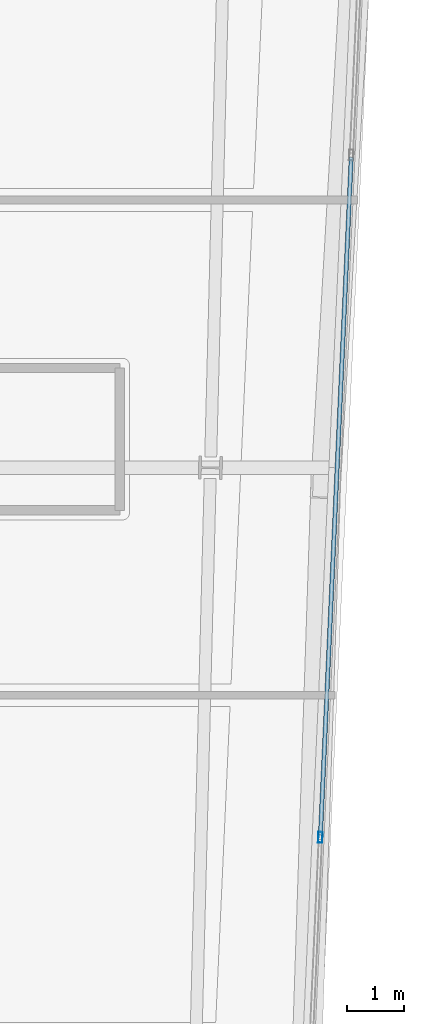
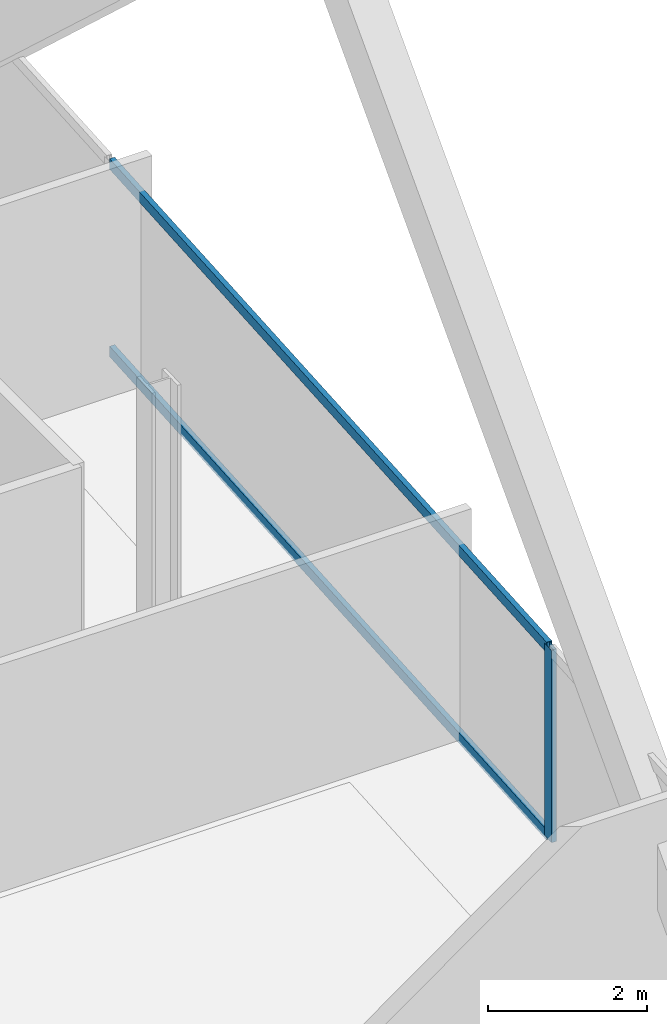
# One storey, part 11 of 26: 3 members, 1 element without a shape of its own.
"""IFC4 building model written with IfcOpenShell, lengths in metres."""

from ifc_helpers import new_model, si_unit, direction, frame, origin, origin_2d, place, context, subcontext, project, spatial, hollow_rectangle, extrude, material, material_profile, profile_set, type_object, element, aggregate, save


model = new_model("IFC4")

# Units and contexts
model_context = context("Model", 3, precision=1e-05, world=origin(), true_north=direction((0.0, 1.0)))
body_context = subcontext(model_context, "Body", "Model", "MODEL_VIEW")
ifc_project = project(units=[si_unit("LENGTHUNIT", "METRE"), si_unit("AREAUNIT", "SQUARE_METRE"), si_unit("VOLUMEUNIT", "CUBIC_METRE"), si_unit("PLANEANGLEUNIT", "RADIAN"), si_unit("MASSUNIT", "GRAM", prefix="KILO")], contexts=[model_context])

# Site, building, storey
site_placement = place(None, origin())
site = spatial("IfcSite", under=ifc_project, at=site_placement, CompositionType="ELEMENT")
building_placement = place(site_placement, origin())
building = spatial("IfcBuilding", under=site, at=building_placement, Name="Haldenkirk Collegiate Tower", CompositionType="ELEMENT")
storey_placement = place(building_placement, frame((0.0, 0.0, 321.449951171875)))
storey = spatial("IfcBuildingStorey", under=building, at=storey_placement, Name="L81", CompositionType="ELEMENT", Elevation=321.449951171875)

# Curtain wall, members
ifc_material = material(Name="Anodised architectural bronze aluminium", Category="aluminium")
curtain_wall_type = type_object("IfcCurtainWallType", Name="CW-SYS2-CONCAVE", PredefinedType="USERDEFINED", material=ifc_material)
curtain_wall_placement = place(storey_placement, origin())
curtain_wall = element("IfcCurtainWall", 1, at=curtain_wall_placement, inside=storey, type_object=curtain_wall_type, Name="L81 South concave recessed bronze-anodised curtain wall", ObjectType="UNITISED CURTAIN WALL", PredefinedType="USERDEFINED")
ifc_material_profile_1 = material_profile(ifc_material, hollow_rectangle(XDim=0.074951171875, YDim=0.18994140625, WallThickness=0.0048828125, at=origin_2d()), Name="CW-MUL-02")
ifc_profile_set_1 = profile_set([ifc_material_profile_1], Name="Anodised architectural bronze aluminium")
member_type_1 = type_object("IfcMemberType", Name="CW-MUL-02", PredefinedType="MULLION", material=ifc_profile_set_1)
member_1_placement = place(storey_placement, frame((57.824951171875, 19.002685546875, 0.0), z_axis=(0.0, 0.0, 1.0), x_axis=(0.998970520939, -0.045364063906, 0.0)))
member_1 = element("IfcMember", 2, at=member_1_placement, type_object=member_type_1, Name="CW-02 mullion 3", PredefinedType="MULLION", context=body_context, shape_type="SweptSolid", body=[
    extrude(hollow_rectangle(XDim=0.074951171875, YDim=0.18994140625, WallThickness=0.0048828125, at=origin_2d()), origin(), (0.0, 0.0, 1.0), 2.947998046875),
])
ifc_material_profile_2 = material_profile(ifc_material, hollow_rectangle(XDim=0.074951171875, YDim=0.159912109375, WallThickness=0.0048828125, at=origin_2d()), Name="CW-TRN-02")
ifc_profile_set_2 = profile_set([ifc_material_profile_2], Name="Anodised architectural bronze aluminium")
member_type_2 = type_object("IfcMemberType", Name="CW-TRN-02", PredefinedType="USERDEFINED", material=ifc_profile_set_2)
member_2_placement = place(storey_placement, frame((58.36767578125, 30.952880859375, 0.03759765625), z_axis=(-0.045368656233, -0.998970312387, 0.0), x_axis=(0.998970312387, -0.045368656233, 0.0)))
member_2 = element("IfcMember", 3, at=member_2_placement, type_object=member_type_2, Name="CW-02 transom 2.1", ObjectType="TRANSOM", PredefinedType="USERDEFINED", context=body_context, shape_type="SweptSolid", body=[
    extrude(hollow_rectangle(XDim=0.074951171875, YDim=0.159912109375, WallThickness=0.0048828125, at=origin_2d()), origin(), (0.0, 0.0, 1.0), 11.9248046875),
])
member_3_placement = place(storey_placement, frame((58.36767578125, 30.952880859375, 2.91064453125), z_axis=(-0.045368656233, -0.998970312387, 0.0), x_axis=(0.998970312387, -0.045368656233, 0.0)))
member_3 = element("IfcMember", 4, at=member_3_placement, type_object=member_type_2, Name="CW-02 transom 2.2", ObjectType="TRANSOM", PredefinedType="USERDEFINED", context=body_context, shape_type="SweptSolid", body=[
    extrude(hollow_rectangle(XDim=0.074951171875, YDim=0.159912109375, WallThickness=0.0048828125, at=origin_2d()), origin(), (0.0, 0.0, 1.0), 11.9248046875),
])
aggregate(curtain_wall, [member_1, member_2, member_3])

save(model, "model.ifc")
